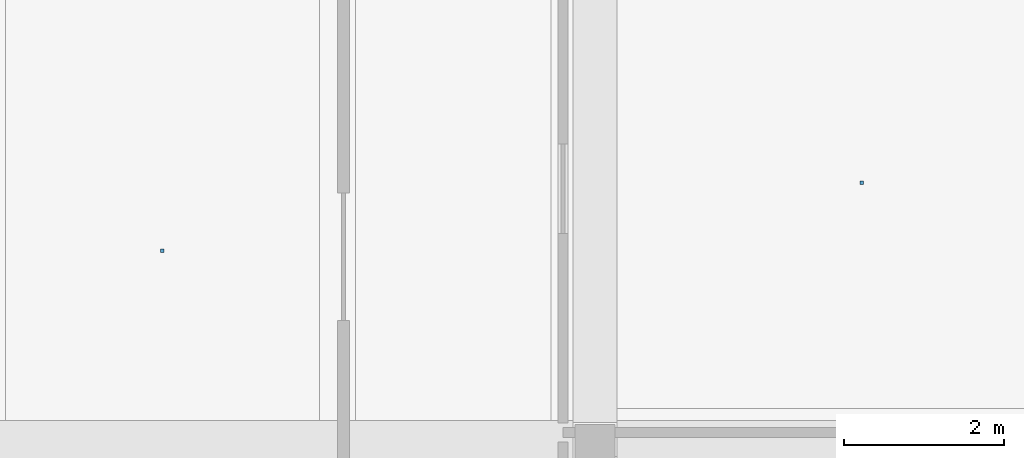
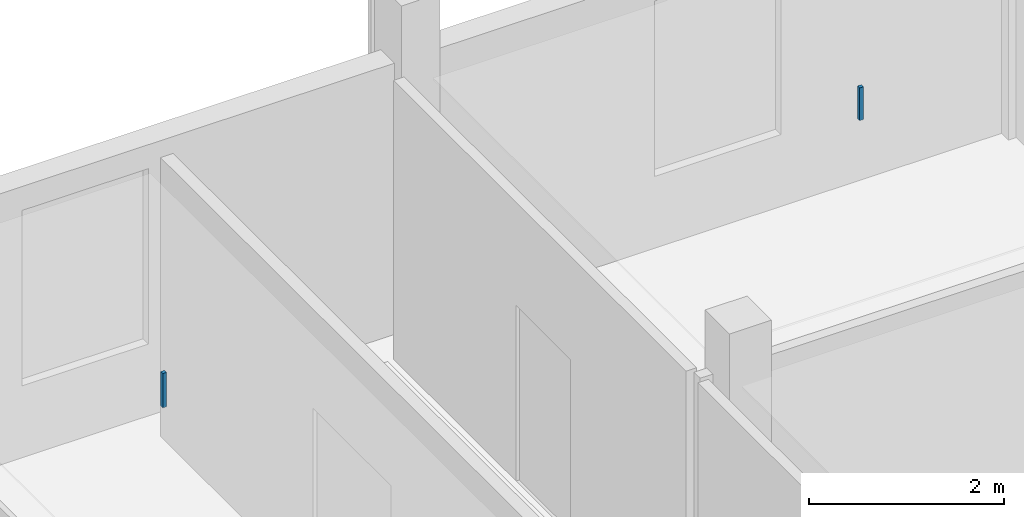
# One storey, part 72 of 85: 2 discrete accessories.
"""IFC4 building model written with IfcOpenShell, lengths in metres."""

from ifc_helpers import new_model, si_unit, derived_unit, direction, frame, origin, origin_2d, place, context, subcontext, project, spatial, rectangle, extrude, material, type_object, element, save


model = new_model("IFC4")

# Units and contexts
model_context = context("Model", 3, precision=1e-05, world=origin(), true_north=direction((0.0, 1.0)))
body_context = subcontext(model_context, "Body", "Model", "MODEL_VIEW")
ifc_project = project(units=[si_unit("LENGTHUNIT", "METRE"), si_unit("AREAUNIT", "SQUARE_METRE"), si_unit("VOLUMEUNIT", "CUBIC_METRE"), si_unit("PLANEANGLEUNIT", "RADIAN"), si_unit("MASSUNIT", "GRAM", prefix="KILO"), derived_unit("THERMALTRANSMITTANCEUNIT", [(si_unit("POWERUNIT", "WATT"), 1), (si_unit("LENGTHUNIT", "METRE"), -2), (si_unit("THERMODYNAMICTEMPERATUREUNIT", "KELVIN"), -1)])], contexts=[model_context])

# Site, building, storey
site_placement = place(None, origin())
site = spatial("IfcSite", under=ifc_project, at=site_placement, CompositionType="ELEMENT")
building_placement = place(site_placement, origin())
building = spatial("IfcBuilding", under=site, at=building_placement, Name="Braskholm Square Health Centre", CompositionType="ELEMENT")
storey_placement = place(building_placement, frame((0.0, 0.0, 9.300048828125)))
storey = spatial("IfcBuildingStorey", under=building, at=storey_placement, Name="L03", CompositionType="ELEMENT", Elevation=9.300048828125)

# Discrete accessories
ifc_material = material(Name="Steel ASTM A500 Grade C", Category="steel")
discrete_accessory_type = type_object("IfcDiscreteAccessoryType", Name="CeilingSuspensionBracket", PredefinedType="BRACKET", material=ifc_material)
discrete_accessory_1_placement = place(storey_placement, frame((159.93994140625, 110.27490234375, 3.501953125), z_axis=(0.0, 0.0, 1.0), x_axis=(1.0, 0.0, 0.0)))
element("IfcDiscreteAccessory", 1, at=discrete_accessory_1_placement, inside=storey, type_object=discrete_accessory_type, Name="Ceiling hanger bracket 0163", PredefinedType="BRACKET", context=body_context, shape_type="SweptSolid", body=[
    extrude(rectangle(XDim=0.044921875, YDim=0.044921875, at=origin_2d()), origin(), (0.0, 0.0, 1.0), 0.409912109375),
])
discrete_accessory_2_placement = place(storey_placement, frame((151.18505859375, 109.425048828125, 3.48193359375), z_axis=(0.0, 0.0, 1.0), x_axis=(1.0, 0.0, 0.0)))
element("IfcDiscreteAccessory", 2, at=discrete_accessory_2_placement, inside=storey, type_object=discrete_accessory_type, Name="Ceiling hanger bracket 0169", PredefinedType="BRACKET", context=body_context, shape_type="SweptSolid", body=[
    extrude(rectangle(XDim=0.044921875, YDim=0.044921875, at=origin_2d()), origin(), (0.0, 0.0, 1.0), 0.429931640625),
])

save(model, "model.ifc")
